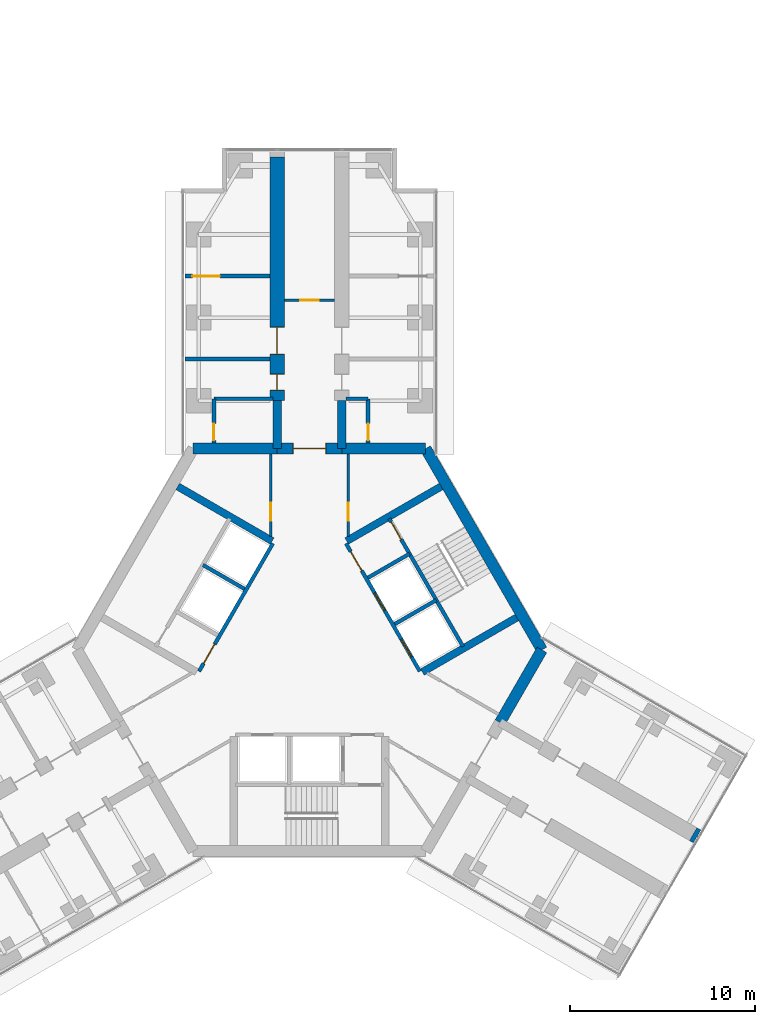
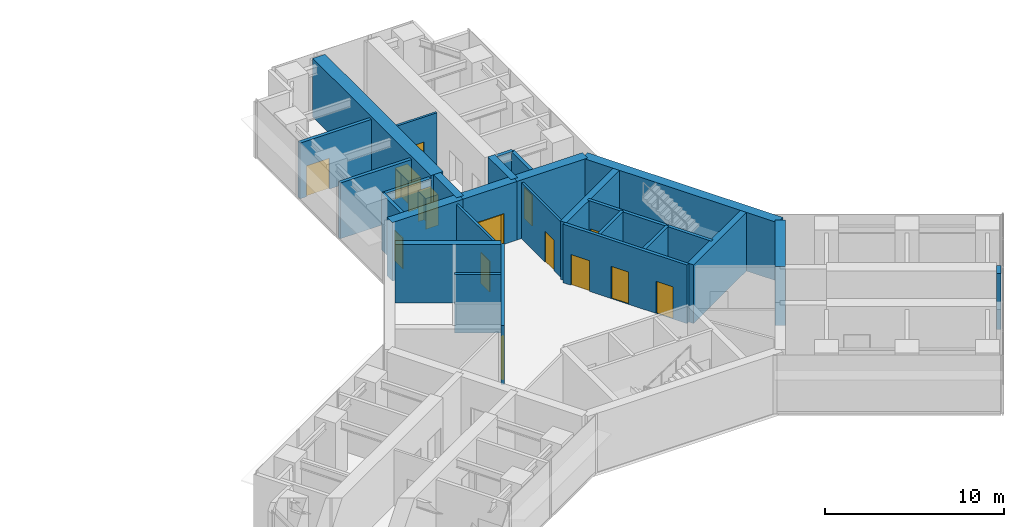
# One storey, part 19 of 21: 27 walls, 14 doors, 14 openings.
"""IFC4 building model written with IfcOpenShell, lengths in metres."""

import ifcopenshell
import ifcopenshell.guid

model = None  # the IFC model being written
_history = None  # IfcOwnerHistory: only IFC2X3 demands one
_inside = {}  # id of a spatial element -> (the spatial element, [elements in it])
_under = {}  # id of a project, library or spatial element -> (it, [spatial elements below it])
_declared = {}  # id of a project -> (the project, [libraries it declares])
_typed = {}  # id of a type object -> (the type object, [elements of that type])
_made_of = {}  # id of a material, layer set ... -> (it, [elements and type objects made of it])


def new_model(schema):
    """Start an empty IFC model of exactly this schema.

    Asked for "IFC4X3", IfcOpenShell would pick the latest addendum, in which some entities
    have other attributes; the version numbers below select the first issue.
    IFC2X3 requires an IfcOwnerHistory on every rooted entity: one is made here for all.
    """
    global model, _history
    if schema == "IFC4X3":
        model = ifcopenshell.file(schema_version=(4, 3, 0, 0))
    else:
        model = ifcopenshell.file(schema=schema)
    _inside.clear()
    _under.clear()
    _declared.clear()
    _typed.clear()
    _made_of.clear()
    _history = None
    if model.schema == "IFC2X3":
        org = make("IfcOrganization", Name="unknown")
        user = make(
            "IfcPersonAndOrganization",
            ThePerson=make("IfcPerson", FamilyName="unknown"),
            TheOrganization=org,
        )
        app = make(
            "IfcApplication",
            ApplicationDeveloper=org,
            Version="unknown",
            ApplicationFullName="unknown",
            ApplicationIdentifier="unknown",
        )
        _history = make(
            "IfcOwnerHistory",
            OwningUser=user,
            OwningApplication=app,
            ChangeAction="ADDED",
            CreationDate=0,
        )
    return model


def make(cls, **values):
    """One entity of the class cls with the attributes given. An attribute that is None is left unset."""
    return model.create_entity(
        cls, **{name: value for name, value in values.items() if value is not None}
    )


def rooted(cls, **values):
    """An entity with a GlobalId (a new one), such as an element, a storey or a relation."""
    return make(cls, GlobalId=ifcopenshell.guid.new(), OwnerHistory=_history, **values)


def si_unit(unit_type, name, prefix=None):
    """IfcSIUnit, for example si_unit("LENGTHUNIT", "METRE", prefix="MILLI")."""
    return make("IfcSIUnit", UnitType=unit_type, Prefix=prefix, Name=name)


def assignment(units):
    """IfcUnitAssignment: the units of a project."""
    return None if units is None else make("IfcUnitAssignment", Units=units)


def point(xyz):
    """IfcCartesianPoint."""
    return None if xyz is None else make("IfcCartesianPoint", Coordinates=xyz)


def direction(xyz):
    """IfcDirection."""
    return None if xyz is None else make("IfcDirection", DirectionRatios=xyz)


def frame(location, z_axis=None, x_axis=None):
    """IfcAxis2Placement3D, a coordinate frame: its origin and axes. An axis left out is left unset."""
    return make(
        "IfcAxis2Placement3D",
        Location=point(location),
        Axis=direction(z_axis),
        RefDirection=direction(x_axis),
    )


def frame_2d(location, x_axis=None):
    """IfcAxis2Placement2D, a coordinate frame in the plane: its origin and x axis."""
    return make(
        "IfcAxis2Placement2D", Location=point(location), RefDirection=direction(x_axis)
    )


def origin():
    """The frame at (0, 0, 0) with its axes left unset."""
    return frame((0.0, 0.0, 0.0))


def place(relative_to, where):
    """IfcLocalPlacement: puts the frame where relative to a parent placement (None: the world)."""
    return make(
        "IfcLocalPlacement", PlacementRelTo=relative_to, RelativePlacement=where
    )


def context(
    kind, dimensions, precision=None, world=None, true_north=None, identifier=None
):
    """IfcGeometricRepresentationContext, for example the 3D "Model" context."""
    return make(
        "IfcGeometricRepresentationContext",
        ContextIdentifier=identifier,
        ContextType=kind,
        CoordinateSpaceDimension=dimensions,
        Precision=precision,
        WorldCoordinateSystem=world,
        TrueNorth=true_north,
    )


def subcontext(parent, identifier, kind, view, scale=None):
    """IfcGeometricRepresentationSubContext, for example "Body" below "Model"."""
    return make(
        "IfcGeometricRepresentationSubContext",
        ContextIdentifier=identifier,
        ContextType=kind,
        ParentContext=parent,
        TargetScale=scale,
        TargetView=view,
    )


def project(units=None, contexts=None):
    """IfcProject with its units and contexts."""
    return rooted(
        "IfcProject",
        Name="project",
        RepresentationContexts=contexts,
        UnitsInContext=assignment(units),
    )


def spatial(cls, under=None, at=None, **own):
    """A site, building, storey or space (cls), placed at a placement, below another one or the project."""
    s = rooted(cls, ObjectPlacement=at, **own)
    if under is not None:
        _under.setdefault(under.id(), (under, []))[1].append(s)
    return s


def profile(cls, at=None, kind="AREA", **sizes):
    """A parametric profile (cls). Its sizes go by their IFC names, for example OverallWidth=200.0."""
    return make(cls, ProfileType=kind, Position=at, **sizes)


def rectangle(**sizes):
    """IfcRectangleProfileDef."""
    return profile("IfcRectangleProfileDef", **sizes)


def extrude(swept, where, along, depth):
    """IfcExtrudedAreaSolid: the profile swept, set in the frame where, extruded along a direction by depth."""
    return make(
        "IfcExtrudedAreaSolid",
        SweptArea=swept,
        Position=where,
        ExtrudedDirection=direction(along),
        Depth=depth,
    )


def shape(context_of_items, identifier, shape_type, items):
    """IfcShapeRepresentation: the items that make up one representation, for example the "Body"."""
    return make(
        "IfcShapeRepresentation",
        ContextOfItems=context_of_items,
        RepresentationIdentifier=identifier,
        RepresentationType=shape_type,
        Items=items,
    )


def material(Name=None, Category=None):
    """IfcMaterial."""
    return make("IfcMaterial", Name=Name, Category=Category)


def layer(
    of_material, thickness, ventilated=None, Name=None, Category=None, Priority=None
):
    """IfcMaterialLayer: one layer of a wall or slab, of a material (None: an air gap)."""
    return make(
        "IfcMaterialLayer",
        Material=of_material,
        LayerThickness=thickness,
        IsVentilated=ventilated,
        Name=Name,
        Category=Category,
        Priority=Priority,
    )


def layer_set(layers, Name=None):
    """IfcMaterialLayerSet."""
    return make("IfcMaterialLayerSet", MaterialLayers=layers, LayerSetName=Name)


def made_of(thing, what):
    """Note that an element or type object is made of a material, layer set ...; save() writes the relation."""
    if what is not None:
        _made_of.setdefault(what.id(), (what, []))[1].append(thing)
    return thing


def type_object(cls, material=None, **own):
    """A type object (cls), such as IfcWallType, which elements share."""
    return made_of(rooted(cls, **own), material)


def element(
    cls,
    number,
    at=None,
    inside=None,
    cuts=None,
    type_object=None,
    material=None,
    context=None,
    identifier="Body",
    shape_type=None,
    held_by="IfcProductDefinitionShape",
    body=None,
    shapes=None,
    **own,
):
    """One element of the class cls, such as IfcWall. Its Tag is "e" and its number.

    at: its placement. inside: the storey or other place that contains it. cuts: it is an
    opening in that element (IfcRelVoidsElement). A single representation is given by context,
    identifier, shape_type and body (its items); several are given by shapes. held_by: the class
    of the entity that holds the representations. save() writes the other relations.
    """
    e = rooted(cls, Tag="e%d" % number, ObjectPlacement=at, **own)
    if body is not None:
        shapes = [shape(context, identifier, shape_type, body)]
    if shapes is not None:
        e.Representation = make(held_by, Representations=shapes)
    if inside is not None:
        _inside.setdefault(inside.id(), (inside, []))[1].append(e)
    if cuts is not None:
        rooted(
            "IfcRelVoidsElement", RelatingBuildingElement=cuts, RelatedOpeningElement=e
        )
    if type_object is not None:
        _typed.setdefault(type_object.id(), (type_object, []))[1].append(e)
    return made_of(e, material)


def fill(opening, filler):
    """IfcRelFillsElement: the door or window that sits in an opening."""
    return rooted(
        "IfcRelFillsElement",
        RelatingOpeningElement=opening,
        RelatedBuildingElement=filler,
    )


def aggregate(whole, parts):
    """IfcRelAggregates: a whole, such as a stair, and the parts it consists of."""
    return rooted("IfcRelAggregates", RelatingObject=whole, RelatedObjects=parts)


def save(model, path):
    """Write the relations noted so far, then the file.

    IfcRelAggregates (storeys below a building ...), IfcRelContainedInSpatialStructure (elements
    in a storey), IfcRelDefinesByType, IfcRelAssociatesMaterial and IfcRelDeclares: one each for
    every whole, place, type object, material and project.
    """
    for whole, parts in _under.values():
        aggregate(whole, parts)
    for where, things in _inside.values():
        rooted(
            "IfcRelContainedInSpatialStructure",
            RelatedElements=things,
            RelatingStructure=where,
        )
    for kind, things in _typed.values():
        rooted("IfcRelDefinesByType", RelatedObjects=things, RelatingType=kind)
    for what, things in _made_of.values():
        rooted("IfcRelAssociatesMaterial", RelatedObjects=things, RelatingMaterial=what)
    for by, libraries in _declared.values():
        rooted("IfcRelDeclares", RelatingContext=by, RelatedDefinitions=libraries)
    model.write(path)


model = new_model("IFC4")

# Units and contexts
model_context = context("Model", 3, precision=1e-05, world=origin(), true_north=direction((0.0, 1.0)))
body_context = subcontext(model_context, "Body", "Model", "MODEL_VIEW")
ifc_project = project(units=[si_unit("LENGTHUNIT", "METRE"), si_unit("AREAUNIT", "SQUARE_METRE"), si_unit("VOLUMEUNIT", "CUBIC_METRE"), si_unit("PLANEANGLEUNIT", "RADIAN"), si_unit("MASSUNIT", "GRAM", prefix="KILO")], contexts=[model_context])

# Site, building, storey
site_placement = place(None, origin())
site = spatial("IfcSite", under=ifc_project, at=site_placement, CompositionType="ELEMENT")
building_placement = place(site_placement, origin())
building = spatial("IfcBuilding", under=site, at=building_placement, Name="Upepo Twin Towers", CompositionType="ELEMENT")
storey_placement = place(building_placement, frame((0.0, 0.0, 113.5)))
storey = spatial("IfcBuildingStorey", under=building, at=storey_placement, Name="L27", CompositionType="ELEMENT", Elevation=113.5)

# Wall
ifc_material_1 = material(Name="Concrete blockwork, plastered both faces", Category="masonry")
ifc_layer_1 = layer(ifc_material_1, 0.215087890625)
ifc_layer_set_1 = layer_set([ifc_layer_1], Name="Blockwork partition 215")
wall_type_1 = type_object("IfcWallType", Name="Blockwork partition 215", PredefinedType="PARTITIONING", material=ifc_layer_set_1)
wall_1_placement = place(storey_placement, frame((56.35009765625, -2.25, 0.0), z_axis=(0.0, 0.0, 1.0), x_axis=(-1.0, 0.0, 0.0)))
element("IfcWall", 1, at=wall_1_placement, inside=storey, type_object=wall_type_1, Name="T2 partition AL at 15.75", PredefinedType="PARTITIONING", context=body_context, shape_type="SweptSolid", body=[
    extrude(rectangle(XDim=4.60009765625, YDim=0.215087890625, at=frame_2d((2.300048828125, 0.0))), origin(), (0.0, 0.0, 1.0), 3.800048828125),
])

# Wall, opening, door
wall_2_placement = place(storey_placement, frame((56.35009765625, 2.25, 0.0), z_axis=(0.0, 0.0, 1.0), x_axis=(-1.0, 0.0, 0.0)))
wall_2 = element("IfcWall", 2, at=wall_2_placement, inside=storey, type_object=wall_type_1, Name="T2 partition AL at 20.25", PredefinedType="PARTITIONING", context=body_context, shape_type="SweptSolid", body=[
    extrude(rectangle(XDim=4.60009765625, YDim=0.215087890625, at=frame_2d((2.300048828125, 0.0))), origin(), (0.0, 0.0, 1.0), 3.800048828125),
])
opening_1_placement = place(wall_2_placement, frame((2.699951171875, 0.0, 0.0)))
opening_1 = element("IfcOpeningElement", 3, at=opening_1_placement, cuts=wall_2, Name="Opening D13", PredefinedType="OPENING", context=body_context, shape_type="SweptSolid", body=[
    extrude(rectangle(XDim=1.5, YDim=2.10009765625, at=frame_2d((0.75, 1.050048828125))), frame((0.0, 0.117431640625, 0.0), z_axis=(0.0, -1.0, 0.0), x_axis=(1.0, 0.0, 0.0)), (0.0, 0.0, 1.0), 0.235107421875),
])
ifc_material_2 = material(Name="Timber doorset", Category="wood")
door_type_1 = type_object("IfcDoorType", Name="Double door 1500 FD30", OperationType="DOUBLE_DOOR_SINGLE_SWING", PredefinedType="DOOR", material=ifc_material_2)
door_1_placement = place(opening_1_placement, origin())
door_1 = element("IfcDoor", 4, at=door_1_placement, inside=storey, type_object=door_type_1, Name="T2 L27 connecting door", OperationType="DOUBLE_DOOR_SINGLE_SWING", OverallHeight=2.10009765625, OverallWidth=1.5, PredefinedType="DOOR", context=body_context, shape_type="SweptSolid", body=[
    extrude(rectangle(XDim=1.5, YDim=2.10009765625, at=frame_2d((0.75, 1.050048828125))), frame((0.0, 0.02490234375, 0.0), z_axis=(0.0, -1.0, 0.0), x_axis=(1.0, 0.0, 0.0)), (0.0, 0.0, 1.0), 0.050048828125),
])
fill(opening_1, door_1)

wall_3_placement = place(storey_placement, frame((53.324951171875, -6.7919921875, 0.0), z_axis=(0.0, 0.0, 1.0), x_axis=(0.0, 1.0, 0.0)))
wall_3 = element("IfcWall", 5, at=wall_3_placement, inside=storey, type_object=wall_type_1, Name="T2 WC bay partition AL at 11.21", PredefinedType="PARTITIONING", context=body_context, shape_type="SweptSolid", body=[
    extrude(rectangle(XDim=2.39990234375, YDim=0.215087890625, at=frame_2d((1.199951171875, 0.0))), origin(), (0.0, 0.0, 1.0), 3.800048828125),
])
opening_2_placement = place(wall_3_placement, frame((0.14990234375, 0.0, 0.0)))
opening_2 = element("IfcOpeningElement", 6, at=opening_2_placement, cuts=wall_3, Name="Opening D14", PredefinedType="OPENING", context=body_context, shape_type="SweptSolid", body=[
    extrude(rectangle(XDim=0.89990234375, YDim=2.10009765625, at=frame_2d((0.449951171875, 1.050048828125))), frame((0.0, 0.117431640625, 0.0), z_axis=(0.0, -1.0, 0.0), x_axis=(1.0, 0.0, 0.0)), (0.0, 0.0, 1.0), 0.235107421875),
])
ifc_material_3 = material(Name="Timber doorset", Category="wood")
door_type_2 = type_object("IfcDoorType", Name="Office door 900 FD30", OperationType="SINGLE_SWING_LEFT", PredefinedType="DOOR", material=ifc_material_3)
door_2_placement = place(opening_2_placement, origin())
door_2 = element("IfcDoor", 7, at=door_2_placement, inside=storey, type_object=door_type_2, Name="T2 L27 WC bay inner room door", OperationType="SINGLE_SWING_LEFT", OverallHeight=2.10009765625, OverallWidth=0.89990234375, PredefinedType="DOOR", context=body_context, shape_type="SweptSolid", body=[
    extrude(rectangle(XDim=0.89990234375, YDim=2.10009765625, at=frame_2d((0.449951171875, 1.050048828125))), frame((0.0, 0.02490234375, 0.0), z_axis=(0.0, -1.0, 0.0), x_axis=(1.0, 0.0, 0.0)), (0.0, 0.0, 1.0), 0.050048828125),
])
fill(opening_2, door_2)

# Wall
wall_4_placement = place(storey_placement, frame((56.52490234375, -4.39208984375, 0.0), z_axis=(0.0, 0.0, 1.0), x_axis=(-1.0, 0.0, 0.0)))
element("IfcWall", 8, at=wall_4_placement, inside=storey, type_object=wall_type_1, Name="T2 WC bay partition AL end at 13.61", PredefinedType="PARTITIONING", context=body_context, shape_type="SweptSolid", body=[
    extrude(rectangle(XDim=3.199951171875, YDim=0.215087890625, at=frame_2d((1.60009765625, 0.0))), origin(), (0.0, 0.0, 1.0), 3.800048828125),
])

# Wall, opening, door
wall_5_placement = place(storey_placement, frame((61.675048828125, -6.7919921875, 0.0), z_axis=(0.0, 0.0, 1.0), x_axis=(0.0, 1.0, 0.0)))
wall_5 = element("IfcWall", 9, at=wall_5_placement, inside=storey, type_object=wall_type_1, Name="T2 WC bay partition AR at 11.21", PredefinedType="PARTITIONING", context=body_context, shape_type="SweptSolid", body=[
    extrude(rectangle(XDim=2.39990234375, YDim=0.215087890625, at=frame_2d((1.199951171875, 0.0))), origin(), (0.0, 0.0, 1.0), 3.800048828125),
])
opening_3_placement = place(wall_5_placement, frame((0.14990234375, 0.0, 0.0)))
opening_3 = element("IfcOpeningElement", 10, at=opening_3_placement, cuts=wall_5, Name="Opening D14", PredefinedType="OPENING", context=body_context, shape_type="SweptSolid", body=[
    extrude(rectangle(XDim=0.89990234375, YDim=2.10009765625, at=frame_2d((0.449951171875, 1.050048828125))), frame((0.0, 0.117431640625, 0.0), z_axis=(0.0, -1.0, 0.0), x_axis=(1.0, 0.0, 0.0)), (0.0, 0.0, 1.0), 0.235107421875),
])
door_3_placement = place(opening_3_placement, origin())
door_3 = element("IfcDoor", 11, at=door_3_placement, inside=storey, type_object=door_type_2, Name="T2 L27 WC bay inner room door", OperationType="SINGLE_SWING_LEFT", OverallHeight=2.10009765625, OverallWidth=0.89990234375, PredefinedType="DOOR", context=body_context, shape_type="SweptSolid", body=[
    extrude(rectangle(XDim=0.89990234375, YDim=2.10009765625, at=frame_2d((0.449951171875, 1.050048828125))), frame((0.0, 0.02490234375, 0.0), z_axis=(0.0, -1.0, 0.0), x_axis=(1.0, 0.0, 0.0)), (0.0, 0.0, 1.0), 0.050048828125),
])
fill(opening_3, door_3)

# Walls
wall_6_placement = place(storey_placement, frame((60.47509765625, -4.39208984375, 0.0), z_axis=(0.0, 0.0, 1.0), x_axis=(1.0, 0.0, 0.0)))
element("IfcWall", 12, at=wall_6_placement, inside=storey, type_object=wall_type_1, Name="T2 WC bay partition AR end at 13.61", PredefinedType="PARTITIONING", context=body_context, shape_type="SweptSolid", body=[
    extrude(rectangle(XDim=1.199951171875, YDim=0.215087890625, at=frame_2d((0.60009765625, 0.0))), origin(), (0.0, 0.0, 1.0), 3.800048828125),
])
ifc_material_4 = material(Name="Dense concrete blockwork", Category="masonry")
ifc_layer_2 = layer(ifc_material_4, 0.800048828125)
ifc_layer_set_2 = layer_set([ifc_layer_2], Name="Buttress closer 800, blockwork with fire-stopping to the curtain wall")
wall_type_2 = type_object("IfcWallType", Name="Buttress closer 800, blockwork with fire-stopping to the curtain wall", PredefinedType="PARTITIONING", material=ifc_layer_set_2)
wall_7_placement = place(storey_placement, frame((79.293701171875, -27.984375, 0.0), z_axis=(0.0, 0.0, 1.0), x_axis=(0.865827443207, -0.500342721131, 0.0)))
element("IfcWall", 13, at=wall_7_placement, inside=storey, type_object=wall_type_2, Name="T2 L27 wing C buttress closer L", PredefinedType="PARTITIONING", context=body_context, shape_type="SweptSolid", body=[
    extrude(rectangle(XDim=0.249755859375, YDim=0.800048828125, at=frame_2d((0.125, 0.0))), origin(), (0.0, 0.0, 1.0), 3.800048828125),
])
ifc_material_5 = material(Name="Concrete C60/75", Category="concrete")
ifc_layer_3 = layer(ifc_material_5, 0.449951171875)
ifc_layer_set_3 = layer_set([ifc_layer_3], Name="Concrete C60/75")
wall_type_3 = type_object("IfcWallType", Name="Buttress wall 450 RC", PredefinedType="SHEAR", material=ifc_layer_set_3)
for number, where, z_axis, x_axis, name in (
    (14, (56.75, -7.091552734375, 0.0), (0.0, 0.0, 1.0), (0.0, 1.0, 0.0), "T2 wing A buttress wall L"),
    (15, (60.25, -7.091552734375, 0.0), (0.0, 0.0, 1.0), (0.0, 1.0, 0.0), "T2 wing A buttress wall R"),
):
    element("IfcWall", number, at=place(storey_placement, frame(where, z_axis=z_axis, x_axis=x_axis)), inside=storey, type_object=wall_type_3, Name=name, PredefinedType="SHEAR", context=body_context, shape_type="SweptSolid", body=[
        extrude(rectangle(XDim=2.591552734375, YDim=0.449951171875, at=frame_2d((1.2958984375, 0.0))), origin(), (0.0, 0.0, 1.0), 4.0),
    ])

# Wall, openings, doors
ifc_material_6 = material(Name="Concrete C60/75", Category="concrete")
ifc_layer_4 = layer(ifc_material_6, 0.800048828125)
ifc_layer_set_4 = layer_set([ifc_layer_4], Name="Concrete C60/75")
wall_type_4 = type_object("IfcWallType", Name="Buttress wall 800 RC", PredefinedType="SHEAR", material=ifc_layer_set_4)
wall_8_placement = place(storey_placement, frame((56.75, -4.5, 0.0), z_axis=(0.0, 0.0, 1.0), x_axis=(0.0, 1.0, 0.0)))
wall_8 = element("IfcWall", 16, at=wall_8_placement, inside=storey, type_object=wall_type_4, Name="T2 wing A buttress wall L part 2", PredefinedType="SHEAR", context=body_context, shape_type="SweptSolid", body=[
    extrude(rectangle(XDim=13.199951171875, YDim=0.800048828125, at=frame_2d((6.60009765625, 0.0))), origin(), (0.0, 0.0, 1.0), 4.0),
])
opening_4_placement = place(wall_8_placement, frame((0.550048828125, 0.0, 0.0)))
opening_4 = element("IfcOpeningElement", 17, at=opening_4_placement, cuts=wall_8, Name="Opening D11", PredefinedType="OPENING", context=body_context, shape_type="SweptSolid", body=[
    extrude(rectangle(XDim=0.89990234375, YDim=2.10009765625, at=frame_2d((0.449951171875, 1.050048828125))), frame((0.0, 0.409912109375, 0.0), z_axis=(0.0, -1.0, 0.0), x_axis=(1.0, 0.0, 0.0)), (0.0, 0.0, 1.0), 0.820068359375),
])
opening_5_placement = place(wall_8_placement, frame((2.5, 0.0, 0.0)))
opening_5 = element("IfcOpeningElement", 18, at=opening_5_placement, cuts=wall_8, Name="Opening D13", PredefinedType="OPENING", context=body_context, shape_type="SweptSolid", body=[
    extrude(rectangle(XDim=1.5, YDim=2.10009765625, at=frame_2d((0.75, 1.050048828125))), frame((0.0, 0.409912109375, 0.0), z_axis=(0.0, -1.0, 0.0), x_axis=(1.0, 0.0, 0.0)), (0.0, 0.0, 1.0), 0.820068359375),
])
door_4_placement = place(opening_5_placement, origin())
door_4 = element("IfcDoor", 19, at=door_4_placement, inside=storey, type_object=door_type_1, Name="T2 L27 tutorial room door", OperationType="DOUBLE_DOOR_SINGLE_SWING", OverallHeight=2.10009765625, OverallWidth=1.5, PredefinedType="DOOR", context=body_context, shape_type="SweptSolid", body=[
    extrude(rectangle(XDim=1.42, YDim=2.06009765625, at=frame_2d((0.75, 1.030029296875))), frame((0.0, 0.02490234375, 0.0), z_axis=(0.0, -1.0, 0.0), x_axis=(1.0, 0.0, 0.0)), (0.0, 0.0, 1.0), 0.050048828125),
    extrude(rectangle(XDim=0.04, YDim=2.10009765625, at=frame_2d((0.02001953125, 1.050048828125))), frame((0.0, 0.39990234375, 0.0), z_axis=(0.0, -1.0, 0.0), x_axis=(1.0, 0.0, 0.0)), (0.0, 0.0, 1.0), 0.799560546875),
    extrude(rectangle(XDim=0.04, YDim=2.10009765625, at=frame_2d((1.47998046875, 1.050048828125))), frame((0.0, 0.39990234375, 0.0), z_axis=(0.0, -1.0, 0.0), x_axis=(1.0, 0.0, 0.0)), (0.0, 0.0, 1.0), 0.799560546875),
    extrude(rectangle(XDim=1.42, YDim=0.04, at=frame_2d((0.75, 2.080078125))), frame((0.0, 0.39990234375, 0.0), z_axis=(0.0, -1.0, 0.0), x_axis=(1.0, 0.0, 0.0)), (0.0, 0.0, 1.0), 0.799560546875),
])
fill(opening_5, door_4)
ifc_material_7 = material(Name="Timber doorset", Category="wood")
door_type_3 = type_object("IfcDoorType", Name="Toilet door 900", OperationType="SINGLE_SWING_LEFT", PredefinedType="DOOR", material=ifc_material_7)
door_5_placement = place(opening_4_placement, origin())
door_5 = element("IfcDoor", 20, at=door_5_placement, inside=storey, type_object=door_type_3, Name="T2 L27 accessible wc door", OperationType="SINGLE_SWING_LEFT", OverallHeight=2.10009765625, OverallWidth=0.89990234375, PredefinedType="DOOR", context=body_context, shape_type="SweptSolid", body=[
    extrude(rectangle(XDim=0.81990234375, YDim=2.06009765625, at=frame_2d((0.449951171875, 1.030029296875))), frame((0.0, 0.02490234375, 0.0), z_axis=(0.0, -1.0, 0.0), x_axis=(1.0, 0.0, 0.0)), (0.0, 0.0, 1.0), 0.050048828125),
    extrude(rectangle(XDim=0.04, YDim=2.10009765625, at=frame_2d((0.02001953125, 1.050048828125))), frame((0.0, 0.39990234375, 0.0), z_axis=(0.0, -1.0, 0.0), x_axis=(1.0, 0.0, 0.0)), (0.0, 0.0, 1.0), 0.799560546875),
    extrude(rectangle(XDim=0.04, YDim=2.10009765625, at=frame_2d((0.8798828125, 1.050048828125))), frame((0.0, 0.39990234375, 0.0), z_axis=(0.0, -1.0, 0.0), x_axis=(1.0, 0.0, 0.0)), (0.0, 0.0, 1.0), 0.799560546875),
    extrude(rectangle(XDim=0.81990234375, YDim=0.04, at=frame_2d((0.449951171875, 2.080078125))), frame((0.0, 0.39990234375, 0.0), z_axis=(0.0, -1.0, 0.0), x_axis=(1.0, 0.0, 0.0)), (0.0, 0.0, 1.0), 0.799560546875),
])
fill(opening_4, door_5)

# Wall
ifc_material_8 = material(Name="Concrete C60/75", Category="concrete")
ifc_layer_5 = layer(ifc_material_8, 0.60009765625)
ifc_layer_set_5 = layer_set([ifc_layer_5], Name="Concrete C60/75")
wall_type_5 = type_object("IfcWallType", Name="Core wall 600 RC", PredefinedType="SHEAR", material=ifc_layer_set_5)
wall_9_placement = place(storey_placement, frame((64.7978515625, -7.091552734375, 0.0), z_axis=(0.0, 0.0, 1.0), x_axis=(-1.0, 0.0, 0.0)))
element("IfcWall", 21, at=wall_9_placement, inside=storey, type_object=wall_type_5, Name="T2 core wall 000 R", PredefinedType="SHEAR", context=body_context, shape_type="SweptSolid", body=[
    extrude(rectangle(XDim=4.5478515625, YDim=0.60009765625, at=frame_2d((2.27392578125, 0.0))), origin(), (0.0, 0.0, 1.0), 4.0),
])

# Wall, opening, door
wall_10_placement = place(storey_placement, frame((60.25, -7.091552734375, 0.0), z_axis=(0.0, 0.0, 1.0), x_axis=(-1.0, 0.0, 0.0)))
wall_10 = element("IfcWall", 22, at=wall_10_placement, inside=storey, type_object=wall_type_5, Name="T2 core wall 000", PredefinedType="SHEAR", context=body_context, shape_type="SweptSolid", body=[
    extrude(rectangle(XDim=3.5, YDim=0.60009765625, at=frame_2d((1.75, 0.0))), origin(), (0.0, 0.0, 1.0), 4.0),
])
opening_6_placement = place(wall_10_placement, frame((0.85009765625, 0.0, 0.0)))
opening_6 = element("IfcOpeningElement", 23, at=opening_6_placement, cuts=wall_10, Name="Opening D2", PredefinedType="OPENING", context=body_context, shape_type="SweptSolid", body=[
    extrude(rectangle(XDim=1.800048828125, YDim=2.10009765625, at=frame_2d((0.89990234375, 1.050048828125))), frame((0.0, 0.31005859375, 0.0), z_axis=(0.0, -1.0, 0.0), x_axis=(1.0, 0.0, 0.0)), (0.0, 0.0, 1.0), 0.6201171875),
])
ifc_material_9 = material(Name="Timber doorset", Category="wood")
door_type_4 = type_object("IfcDoorType", Name="Corridor double door 1800 FD60", OperationType="DOUBLE_DOOR_DOUBLE_SWING", PredefinedType="DOOR", material=ifc_material_9)
door_6_placement = place(opening_6_placement, origin())
door_6 = element("IfcDoor", 24, at=door_6_placement, inside=storey, type_object=door_type_4, Name="T2 L27 wing A corridor door", OperationType="DOUBLE_DOOR_DOUBLE_SWING", OverallHeight=2.10009765625, OverallWidth=1.800048828125, PredefinedType="DOOR", context=body_context, shape_type="SweptSolid", body=[
    extrude(rectangle(XDim=1.720048828125, YDim=2.06009765625, at=frame_2d((0.89990234375, 1.030029296875))), frame((0.0, 0.02490234375, 0.0), z_axis=(0.0, -1.0, 0.0), x_axis=(1.0, 0.0, 0.0)), (0.0, 0.0, 1.0), 0.050048828125),
    extrude(rectangle(XDim=0.04, YDim=2.10009765625, at=frame_2d((0.02001953125, 1.050048828125))), frame((0.0, 0.2998046875, 0.0), z_axis=(0.0, -1.0, 0.0), x_axis=(1.0, 0.0, 0.0)), (0.0, 0.0, 1.0), 0.599609375),
    extrude(rectangle(XDim=0.04, YDim=2.10009765625, at=frame_2d((1.780029296875, 1.050048828125))), frame((0.0, 0.2998046875, 0.0), z_axis=(0.0, -1.0, 0.0), x_axis=(1.0, 0.0, 0.0)), (0.0, 0.0, 1.0), 0.599609375),
    extrude(rectangle(XDim=1.720048828125, YDim=0.04, at=frame_2d((0.89990234375, 2.080078125))), frame((0.0, 0.2998046875, 0.0), z_axis=(0.0, -1.0, 0.0), x_axis=(1.0, 0.0, 0.0)), (0.0, 0.0, 1.0), 0.599609375),
])
fill(opening_6, door_6)

# Walls
wall_11_placement = place(storey_placement, frame((56.75, -7.091552734375, 0.0), z_axis=(0.0, 0.0, 1.0), x_axis=(-1.0, 0.0, 0.0)))
element("IfcWall", 25, at=wall_11_placement, inside=storey, type_object=wall_type_5, Name="T2 core wall 000 L", PredefinedType="SHEAR", context=body_context, shape_type="SweptSolid", body=[
    extrude(rectangle(XDim=4.5478515625, YDim=0.60009765625, at=frame_2d((2.27392578125, 0.0))), origin(), (0.0, 0.0, 1.0), 4.0),
])
wall_12_placement = place(storey_placement, frame((68.82177734375, -21.938720703125, 0.0), z_axis=(0.0, 0.0, 1.0), x_axis=(0.500024481964, 0.866011268655, 0.0)))
element("IfcWall", 26, at=wall_12_placement, inside=storey, type_object=wall_type_5, Name="T2 core wall 240 L", PredefinedType="SHEAR", context=body_context, shape_type="SweptSolid", body=[
    extrude(rectangle(XDim=4.548095703125, YDim=0.60009765625, at=frame_2d((2.27392578125, 0.0))), origin(), (0.0, 0.0, 1.0), 4.0),
])
wall_13_placement = place(storey_placement, frame((71.095947265625, -18.0, 0.0), z_axis=(0.0, 0.0, 1.0), x_axis=(-0.500005998175, 0.866021940709, 0.0)))
element("IfcWall", 27, at=wall_13_placement, inside=storey, type_object=wall_type_5, Name="T2 core wall 300", PredefinedType="SHEAR", context=body_context, shape_type="SweptSolid", body=[
    extrude(rectangle(XDim=12.595947265625, YDim=0.60009765625, at=frame_2d((6.2978515625, 0.0))), origin(), (0.0, 0.0, 1.0), 4.0),
])

# Wall, opening, door
ifc_material_10 = material(Name="Concrete C40/50", Category="concrete")
ifc_layer_6 = layer(ifc_material_10, 0.199951171875)
ifc_layer_set_6 = layer_set([ifc_layer_6], Name="Concrete C40/50")
wall_type_6 = type_object("IfcWallType", Name="Shaft wall 200 RC", PredefinedType="SHEAR", material=ifc_layer_set_6)
wall_14_placement = place(storey_placement, frame((56.516357421875, -12.23583984375, 0.0), z_axis=(0.0, 0.0, 1.0), x_axis=(-0.49999894854, -0.866026010844, 0.0)))
wall_14 = element("IfcWall", 28, at=wall_14_placement, inside=storey, type_object=wall_type_6, Name="T2 core W60 front wall", PredefinedType="SHEAR", context=body_context, shape_type="SweptSolid", body=[
    extrude(rectangle(XDim=8.0, YDim=0.199951171875, at=frame_2d((4.0, 0.0))), origin(), (0.0, 0.0, 1.0), 4.0),
])
opening_7_placement = place(wall_14_placement, frame((6.300048828125, 0.0, 0.0)))
opening_7 = element("IfcOpeningElement", 29, at=opening_7_placement, cuts=wall_14, Name="Opening D4", PredefinedType="OPENING", context=body_context, shape_type="SweptSolid", body=[
    extrude(rectangle(XDim=1.199951171875, YDim=2.10009765625, at=frame_2d((0.60009765625, 1.050048828125))), frame((0.0, 0.10986328125, 0.0), z_axis=(0.0, -1.0, 0.0), x_axis=(1.0, 0.0, 0.0)), (0.0, 0.0, 1.0), 0.219970703125),
])
ifc_material_11 = material(Name="Timber doorset", Category="wood")
door_type_5 = type_object("IfcDoorType", Name="Lobby door 1200 FD60", OperationType="SINGLE_SWING_LEFT", PredefinedType="DOOR", material=ifc_material_11)
door_7_placement = place(opening_7_placement, origin())
door_7 = element("IfcDoor", 30, at=door_7_placement, inside=storey, type_object=door_type_5, Name="T2 L27 W60 lobby door", OperationType="SINGLE_SWING_RIGHT", OverallHeight=2.10009765625, OverallWidth=1.199951171875, PredefinedType="DOOR", context=body_context, shape_type="SweptSolid", body=[
    extrude(rectangle(XDim=1.199951171875, YDim=2.10009765625, at=frame_2d((0.60009765625, 1.050048828125))), frame((0.0, 0.02490234375, 0.0), z_axis=(0.0, -1.0, 0.0), x_axis=(1.0, 0.0, 0.0)), (0.0, 0.0, 1.0), 0.050048828125),
])
fill(opening_7, door_7)

# Wall
wall_15_placement = place(storey_placement, frame((54.979736328125, -14.697265625, 0.0), z_axis=(0.0, 0.0, 1.0), x_axis=(-0.866062058628, 0.499936506574, 0.0)))
element("IfcWall", 31, at=wall_15_placement, inside=storey, type_object=wall_type_6, Name="T2 core W60 shaft divider", PredefinedType="SHEAR", context=body_context, shape_type="SweptSolid", body=[
    extrude(rectangle(XDim=2.599853515625, YDim=0.199951171875, at=frame_2d((1.2998046875, 0.0))), origin(), (0.0, 0.0, 1.0), 4.0),
])

# Wall, openings, doors
wall_16_placement = place(storey_placement, frame((64.483642578125, -19.1640625, 0.0), z_axis=(0.0, 0.0, 1.0), x_axis=(-0.49999894854, 0.866026010844, 0.0)))
wall_16 = element("IfcWall", 32, at=wall_16_placement, inside=storey, type_object=wall_type_6, Name="T2 core W300 front wall", PredefinedType="SHEAR", context=body_context, shape_type="SweptSolid", body=[
    extrude(rectangle(XDim=8.0, YDim=0.199951171875, at=frame_2d((4.0, 0.0))), origin(), (0.0, 0.0, 1.0), 4.0),
])
opening_8_placement = place(wall_16_placement, frame((6.300048828125, 0.0, 0.0)))
opening_8 = element("IfcOpeningElement", 33, at=opening_8_placement, cuts=wall_16, Name="Opening D4", PredefinedType="OPENING", context=body_context, shape_type="SweptSolid", body=[
    extrude(rectangle(XDim=1.199951171875, YDim=2.10009765625, at=frame_2d((0.60009765625, 1.050048828125))), frame((0.0, 0.10986328125, 0.0), z_axis=(0.0, -1.0, 0.0), x_axis=(1.0, 0.0, 0.0)), (0.0, 0.0, 1.0), 0.219970703125),
])
opening_9_placement = place(wall_16_placement, frame((0.89990234375, 0.0, 0.0)))
opening_9 = element("IfcOpeningElement", 34, at=opening_9_placement, cuts=wall_16, Name="Opening LD1", PredefinedType="OPENING", context=body_context, shape_type="SweptSolid", body=[
    extrude(rectangle(XDim=1.10009765625, YDim=2.199951171875, at=frame_2d((0.550048828125, 1.10009765625))), frame((0.0, 0.10986328125, 0.0), z_axis=(0.0, -1.0, 0.0), x_axis=(1.0, 0.0, 0.0)), (0.0, 0.0, 1.0), 0.219970703125),
])
opening_10_placement = place(wall_16_placement, frame((3.800048828125, 0.0, 0.0)))
opening_10 = element("IfcOpeningElement", 35, at=opening_10_placement, cuts=wall_16, Name="Opening LD1", PredefinedType="OPENING", context=body_context, shape_type="SweptSolid", body=[
    extrude(rectangle(XDim=1.10009765625, YDim=2.199951171875, at=frame_2d((0.550048828125, 1.10009765625))), frame((0.0, 0.10986328125, 0.0), z_axis=(0.0, -1.0, 0.0), x_axis=(1.0, 0.0, 0.0)), (0.0, 0.0, 1.0), 0.219970703125),
])
ifc_material_12 = material(Name="Steel doorset", Category="steel")
door_type_6 = type_object("IfcDoorType", Name="Lift landing door 1100", OperationType="DOUBLE_DOOR_SLIDING", PredefinedType="DOOR", material=ifc_material_12)
door_8_placement = place(opening_9_placement, origin())
door_8 = element("IfcDoor", 36, at=door_8_placement, inside=storey, type_object=door_type_6, Name="T2 L27 lift ML1 landing door", OperationType="DOUBLE_DOOR_SLIDING", OverallHeight=2.199951171875, OverallWidth=1.10009765625, PredefinedType="DOOR", context=body_context, shape_type="SweptSolid", body=[
    extrude(rectangle(XDim=1.10009765625, YDim=2.199951171875, at=frame_2d((0.550048828125, 1.10009765625))), frame((0.0, 0.02490234375, 0.0), z_axis=(0.0, -1.0, 0.0), x_axis=(1.0, 0.0, 0.0)), (0.0, 0.0, 1.0), 0.050048828125),
])
fill(opening_9, door_8)
door_9_placement = place(opening_10_placement, origin())
door_9 = element("IfcDoor", 37, at=door_9_placement, inside=storey, type_object=door_type_6, Name="T2 L27 lift ML2 landing door", OperationType="DOUBLE_DOOR_SLIDING", OverallHeight=2.199951171875, OverallWidth=1.10009765625, PredefinedType="DOOR", context=body_context, shape_type="SweptSolid", body=[
    extrude(rectangle(XDim=1.10009765625, YDim=2.199951171875, at=frame_2d((0.550048828125, 1.10009765625))), frame((0.0, 0.02490234375, 0.0), z_axis=(0.0, -1.0, 0.0), x_axis=(1.0, 0.0, 0.0)), (0.0, 0.0, 1.0), 0.050048828125),
])
fill(opening_10, door_9)
door_10_placement = place(opening_8_placement, origin())
door_10 = element("IfcDoor", 38, at=door_10_placement, inside=storey, type_object=door_type_5, Name="T2 L27 W300 lobby door", OperationType="SINGLE_SWING_RIGHT", OverallHeight=2.10009765625, OverallWidth=1.199951171875, PredefinedType="DOOR", context=body_context, shape_type="SweptSolid", body=[
    extrude(rectangle(XDim=1.199951171875, YDim=2.10009765625, at=frame_2d((0.60009765625, 1.050048828125))), frame((0.0, 0.02490234375, 0.0), z_axis=(0.0, -1.0, 0.0), x_axis=(1.0, 0.0, 0.0)), (0.0, 0.0, 1.0), 0.050048828125),
])
fill(opening_8, door_10)

# Walls
wall_17_placement = place(storey_placement, frame((63.120361328125, -16.6025390625, 0.0), z_axis=(0.0, 0.0, 1.0), x_axis=(0.866062058628, 0.499936506574, 0.0)))
element("IfcWall", 39, at=wall_17_placement, inside=storey, type_object=wall_type_6, Name="T2 core W300 shaft divider", PredefinedType="SHEAR", context=body_context, shape_type="SweptSolid", body=[
    extrude(rectangle(XDim=2.599853515625, YDim=0.199951171875, at=frame_2d((1.2998046875, 0.0))), origin(), (0.0, 0.0, 1.0), 4.0),
])
wall_18_placement = place(storey_placement, frame((61.67041015625, -14.091064453125, 0.0), z_axis=(0.0, 0.0, 1.0), x_axis=(0.86603858612, 0.49997716683, 0.0)))
element("IfcWall", 40, at=wall_18_placement, inside=storey, type_object=wall_type_6, Name="T2 core W300 lobby wall", PredefinedType="SHEAR", context=body_context, shape_type="SweptSolid", body=[
    extrude(rectangle(XDim=2.599609375, YDim=0.199951171875, at=frame_2d((1.2998046875, 0.0))), origin(), (0.0, 0.0, 1.0), 4.0),
])

# Wall, opening, door
wall_19_placement = place(storey_placement, frame((66.822021484375, -17.814208984375, 0.0), z_axis=(0.0, 0.0, 1.0), x_axis=(-0.49999894854, 0.866026010844, 0.0)))
wall_19 = element("IfcWall", 41, at=wall_19_placement, inside=storey, type_object=wall_type_6, Name="T2 core W300 stair wall", PredefinedType="SHEAR", context=body_context, shape_type="SweptSolid", body=[
    extrude(rectangle(XDim=8.0, YDim=0.199951171875, at=frame_2d((4.0, 0.0))), origin(), (0.0, 0.0, 1.0), 4.0),
])
opening_11_placement = place(wall_19_placement, frame((6.699951171875, 0.0, 0.0)))
opening_11 = element("IfcOpeningElement", 42, at=opening_11_placement, cuts=wall_19, Name="Opening D3", PredefinedType="OPENING", context=body_context, shape_type="SweptSolid", body=[
    extrude(rectangle(XDim=1.10009765625, YDim=2.10009765625, at=frame_2d((0.550048828125, 1.050048828125))), frame((0.0, 0.10986328125, 0.0), z_axis=(0.0, -1.0, 0.0), x_axis=(1.0, 0.0, 0.0)), (0.0, 0.0, 1.0), 0.219970703125),
])
ifc_material_13 = material(Name="Timber doorset", Category="wood")
door_type_7 = type_object("IfcDoorType", Name="Stair door 1100 FD60", OperationType="SINGLE_SWING_LEFT", PredefinedType="DOOR", material=ifc_material_13)
door_11_placement = place(opening_11_placement, origin())
door_11 = element("IfcDoor", 43, at=door_11_placement, inside=storey, type_object=door_type_7, Name="T2 L27 stair door", OperationType="SINGLE_SWING_RIGHT", OverallHeight=2.10009765625, OverallWidth=1.10009765625, PredefinedType="DOOR", context=body_context, shape_type="SweptSolid", body=[
    extrude(rectangle(XDim=1.10009765625, YDim=2.10009765625, at=frame_2d((0.550048828125, 1.050048828125))), frame((0.0, 0.02490234375, 0.0), z_axis=(0.0, -1.0, 0.0), x_axis=(1.0, 0.0, 0.0)), (0.0, 0.0, 1.0), 0.050048828125),
])
fill(opening_11, door_11)

# Walls
ifc_material_14 = material(Name="Concrete C40/50", Category="concrete")
ifc_layer_7 = layer(ifc_material_14, 0.39990234375)
ifc_layer_set_7 = layer_set([ifc_layer_7], Name="Concrete C40/50")
wall_type_7 = type_object("IfcWallType", Name="Shaft wall 400 RC", PredefinedType="SHEAR", material=ifc_layer_set_7)
for number, where, z_axis, x_axis, name in (
    (44, (56.479736328125, -12.099365234375, 0.0), (0.0, 0.0, 1.0), (-0.866009424208, 0.500027676417, 0.0), "T2 core W60 side wall S"),
    (45, (60.520263671875, -12.099365234375, 0.0), (0.0, 0.0, 1.0), (0.866009424208, 0.500027676417, 0.0), "T2 core W300 side wall N"),
):
    element("IfcWall", number, at=place(storey_placement, frame(where, z_axis=z_axis, x_axis=x_axis)), inside=storey, type_object=wall_type_7, Name=name, PredefinedType="SHEAR", context=body_context, shape_type="SweptSolid", body=[
        extrude(rectangle(XDim=5.908447265625, YDim=0.39990234375, at=frame_2d((2.9541015625, 0.0))), origin(), (0.0, 0.0, 1.0), 4.0),
    ])
wall_20_placement = place(storey_placement, frame((64.620361328125, -19.20068359375, 0.0), z_axis=(0.0, 0.0, 1.0), x_axis=(0.866027317282, 0.49999668571, 0.0)))
element("IfcWall", 46, at=wall_20_placement, inside=storey, type_object=wall_type_7, Name="T2 core W300 side wall S", PredefinedType="SHEAR", context=body_context, shape_type="SweptSolid", body=[
    extrude(rectangle(XDim=5.908203125, YDim=0.39990234375, at=frame_2d((2.9541015625, 0.0))), origin(), (0.0, 0.0, 1.0), 4.0),
])

# Wall, opening, door
ifc_material_15 = material(Name="Gypsum board on steel studs", Category="steel")
ifc_layer_8 = layer(ifc_material_15, 0.14990234375)
ifc_layer_set_8 = layer_set([ifc_layer_8], Name="Teaching partition 150 acoustic")
wall_type_8 = type_object("IfcWallType", Name="Teaching partition 150 acoustic", PredefinedType="PARTITIONING", material=ifc_layer_set_8)
wall_21_placement = place(storey_placement, frame((56.39990234375, -11.857421875, 0.0), z_axis=(0.0, 0.0, 1.0), x_axis=(0.0, 1.0, 0.0)))
wall_21 = element("IfcWall", 47, at=wall_21_placement, inside=storey, type_object=wall_type_8, Name="T2 core room partition 2", PredefinedType="PARTITIONING", context=body_context, shape_type="SweptSolid", body=[
    extrude(rectangle(XDim=4.475830078125, YDim=0.14990234375, at=frame_2d((2.23779296875, 0.0))), origin(), (0.0, 0.0, 1.0), 3.800048828125),
])
opening_12_placement = place(wall_21_placement, frame((0.8427734375, 0.0, 0.0)))
opening_12 = element("IfcOpeningElement", 48, at=opening_12_placement, cuts=wall_21, Name="Opening D1", PredefinedType="OPENING", context=body_context, shape_type="SweptSolid", body=[
    extrude(rectangle(XDim=1.0, YDim=2.10009765625, at=frame_2d((0.5, 1.050048828125))), frame((0.0, 0.0849609375, 0.0), z_axis=(0.0, -1.0, 0.0), x_axis=(1.0, 0.0, 0.0)), (0.0, 0.0, 1.0), 0.169921875),
])
ifc_material_16 = material(Name="Timber doorset", Category="wood")
door_type_8 = type_object("IfcDoorType", Name="Room door 1000 FD30", OperationType="SINGLE_SWING_LEFT", PredefinedType="DOOR", material=ifc_material_16)
door_12_placement = place(opening_12_placement, origin())
door_12 = element("IfcDoor", 49, at=door_12_placement, inside=storey, type_object=door_type_8, Name="T2 L27 core room door K7", OperationType="SINGLE_SWING_LEFT", OverallHeight=2.10009765625, OverallWidth=1.0, PredefinedType="DOOR", context=body_context, shape_type="SweptSolid", body=[
    extrude(rectangle(XDim=1.0, YDim=2.10009765625, at=frame_2d((0.5, 1.050048828125))), frame((0.0, 0.02490234375, 0.0), z_axis=(0.0, -1.0, 0.0), x_axis=(1.0, 0.0, 0.0)), (0.0, 0.0, 1.0), 0.050048828125),
])
fill(opening_12, door_12)

wall_22_placement = place(storey_placement, frame((60.60009765625, -7.381591796875, 0.0), z_axis=(0.0, 0.0, 1.0), x_axis=(0.0, -1.0, 0.0)))
wall_22 = element("IfcWall", 50, at=wall_22_placement, inside=storey, type_object=wall_type_8, Name="T2 core room partition 3", PredefinedType="PARTITIONING", context=body_context, shape_type="SweptSolid", body=[
    extrude(rectangle(XDim=4.475830078125, YDim=0.14990234375, at=frame_2d((2.23779296875, 0.0))), origin(), (0.0, 0.0, 1.0), 3.800048828125),
])
opening_13_placement = place(wall_22_placement, frame((2.6328125, 0.0, 0.0)))
opening_13 = element("IfcOpeningElement", 51, at=opening_13_placement, cuts=wall_22, Name="Opening D1", PredefinedType="OPENING", context=body_context, shape_type="SweptSolid", body=[
    extrude(rectangle(XDim=1.0, YDim=2.10009765625, at=frame_2d((0.5, 1.050048828125))), frame((0.0, 0.0849609375, 0.0), z_axis=(0.0, -1.0, 0.0), x_axis=(1.0, 0.0, 0.0)), (0.0, 0.0, 1.0), 0.169921875),
])
door_13_placement = place(opening_13_placement, origin())
door_13 = element("IfcDoor", 52, at=door_13_placement, inside=storey, type_object=door_type_8, Name="T2 L27 core room door K6", OperationType="SINGLE_SWING_RIGHT", OverallHeight=2.10009765625, OverallWidth=1.0, PredefinedType="DOOR", context=body_context, shape_type="SweptSolid", body=[
    extrude(rectangle(XDim=1.0, YDim=2.10009765625, at=frame_2d((0.5, 1.050048828125))), frame((0.0, 0.02490234375, 0.0), z_axis=(0.0, -1.0, 0.0), x_axis=(1.0, 0.0, 0.0)), (0.0, 0.0, 1.0), 0.050048828125),
])
fill(opening_13, door_13)

wall_23_placement = place(storey_placement, frame((59.85009765625, 0.949951171875, 0.0), z_axis=(0.0, 0.0, 1.0), x_axis=(-1.0, 0.0, 0.0)))
wall_23 = element("IfcWall", 53, at=wall_23_placement, inside=storey, type_object=wall_type_8, Name="T2 corridor end partition A at 18.95", PredefinedType="PARTITIONING", context=body_context, shape_type="SweptSolid", body=[
    extrude(rectangle(XDim=2.7001953125, YDim=0.14990234375, at=frame_2d((1.35009765625, 0.0))), origin(), (0.0, 0.0, 1.0), 3.800048828125),
])
opening_14_placement = place(wall_23_placement, frame((0.85009765625, 0.0, 0.0)))
opening_14 = element("IfcOpeningElement", 54, at=opening_14_placement, cuts=wall_23, Name="Opening D1", PredefinedType="OPENING", context=body_context, shape_type="SweptSolid", body=[
    extrude(rectangle(XDim=1.0, YDim=2.10009765625, at=frame_2d((0.5, 1.050048828125))), frame((0.0, 0.0849609375, 0.0), z_axis=(0.0, -1.0, 0.0), x_axis=(1.0, 0.0, 0.0)), (0.0, 0.0, 1.0), 0.169921875),
])
door_14_placement = place(opening_14_placement, origin())
door_14 = element("IfcDoor", 55, at=door_14_placement, inside=storey, type_object=door_type_8, Name="T2 L27 breakout study room door", OperationType="SINGLE_SWING_LEFT", OverallHeight=2.10009765625, OverallWidth=1.0, PredefinedType="DOOR", context=body_context, shape_type="SweptSolid", body=[
    extrude(rectangle(XDim=1.0, YDim=2.10009765625, at=frame_2d((0.5, 1.050048828125))), frame((0.0, 0.02490234375, 0.0), z_axis=(0.0, -1.0, 0.0), x_axis=(1.0, 0.0, 0.0)), (0.0, 0.0, 1.0), 0.050048828125),
])
fill(opening_14, door_14)

save(model, "model.ifc")
